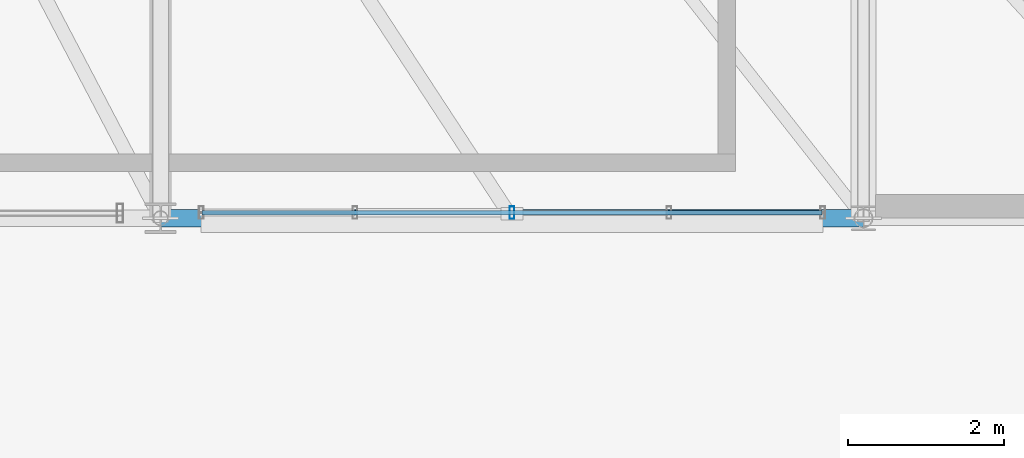
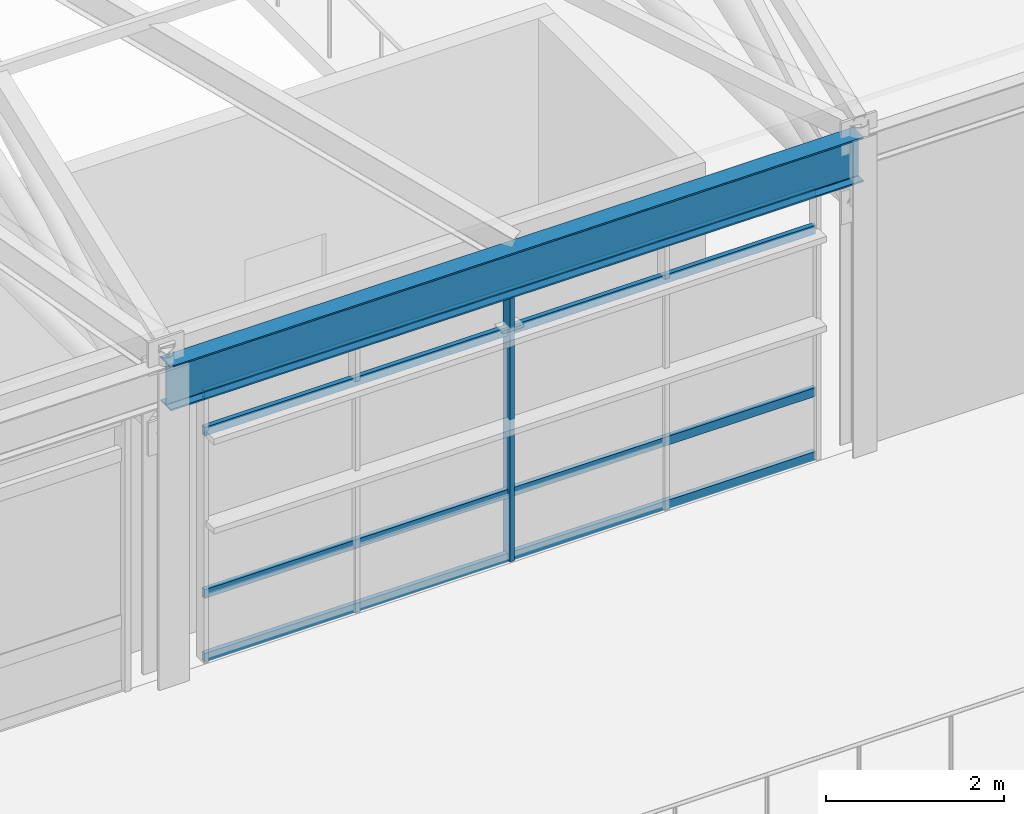
# One storey, part 34 of 168: 5 members, 1 beam, 1 element without a shape of its own.
"""IFC4 building model written with IfcOpenShell, lengths in metres."""

from ifc_helpers import new_model, si_unit, direction, frame, origin, origin_2d, place, context, subcontext, project, spatial, hollow_rectangle, i_section, extrude, material, material_profile, profile_set, type_object, element, aggregate, save


model = new_model("IFC4")

# Units and contexts
model_context = context("Model", 3, precision=1e-05, world=origin(), true_north=direction((0.0, 1.0)))
body_context = subcontext(model_context, "Body", "Model", "MODEL_VIEW")
ifc_project = project(units=[si_unit("LENGTHUNIT", "METRE"), si_unit("AREAUNIT", "SQUARE_METRE"), si_unit("VOLUMEUNIT", "CUBIC_METRE"), si_unit("PLANEANGLEUNIT", "RADIAN"), si_unit("MASSUNIT", "GRAM", prefix="KILO"), si_unit("THERMODYNAMICTEMPERATUREUNIT", "KELVIN"), si_unit("POWERUNIT", "WATT")], contexts=[model_context])

# Site, building, storey
site_placement = place(None, origin())
site = spatial("IfcSite", under=ifc_project, at=site_placement, CompositionType="ELEMENT")
building_placement = place(site_placement, origin())
building = spatial("IfcBuilding", under=site, at=building_placement, Name="Tepalcoro Natatorium and Aquatics Centre", CompositionType="ELEMENT")
storey_placement = place(building_placement, frame((0.0, 0.0, 10.199951171875)))
storey = spatial("IfcBuildingStorey", under=building, at=storey_placement, Name="L02", CompositionType="ELEMENT", Elevation=10.199951171875)

# Curtain wall, members
ifc_material_1 = material(Name="Bronze-Anodised Extruded Aluminium Alloy EN AW-6063 T6", Category="aluminium")
curtain_wall_type = type_object("IfcCurtainWallType", Name="CW_LEAN_T1_EW", PredefinedType="USERDEFINED", material=ifc_material_1)
curtain_wall_placement = place(storey_placement, origin())
curtain_wall = element("IfcCurtainWall", 1, at=curtain_wall_placement, inside=storey, type_object=curtain_wall_type, Name="V1 L02 S Unitised Curtain Wall Bay 7", ObjectType="FACETED SOLAR GLAZING", PredefinedType="USERDEFINED")
ifc_material_profile_1 = material_profile(ifc_material_1, hollow_rectangle(XDim=0.06005859375, YDim=0.159912109375, WallThickness=0.00390625, at=origin_2d()), Name="AL60X160X4")
ifc_profile_set_1 = profile_set([ifc_material_profile_1], Name="Bronze-Anodised Extruded Aluminium Alloy EN AW-6063 T6")
member_type_1 = type_object("IfcMemberType", Name="CW_MUL_60x160", PredefinedType="MULLION", material=ifc_profile_set_1)
member_1_placement = place(storey_placement, frame((111.5, 13.0712890625, 0.02001953125), z_axis=(0.0, 0.0, 1.0), x_axis=(1.0, 0.0, 0.0)))
member_1 = element("IfcMember", 2, at=member_1_placement, type_object=member_type_1, Name="CW_LEAN_T1_EW Curtain Wall Mullion", PredefinedType="MULLION", context=body_context, shape_type="SweptSolid", body=[
    extrude(hollow_rectangle(XDim=0.06005859375, YDim=0.159912109375, WallThickness=0.00390625, at=origin_2d()), origin(), (0.0, 0.0, 1.0), 3.66796875),
])
ifc_material_profile_2 = material_profile(ifc_material_1, hollow_rectangle(XDim=0.06005859375, YDim=0.1201171875, WallThickness=0.00390625, at=origin_2d()), Name="AL60X120X4")
ifc_profile_set_2 = profile_set([ifc_material_profile_2], Name="Bronze-Anodised Extruded Aluminium Alloy EN AW-6063 T6")
member_type_2 = type_object("IfcMemberType", Name="CW_TRN_60x120", PredefinedType="USERDEFINED", material=ifc_profile_set_2)
member_2_placement = place(storey_placement, frame((107.530029296875, 13.0712890625, 0.050048828125), z_axis=(1.0, 0.0, 0.0), x_axis=(0.0, 1.0, 0.0)))
member_2 = element("IfcMember", 3, at=member_2_placement, type_object=member_type_2, Name="CW_LEAN_T1_EW Curtain Wall Transom", ObjectType="TRANSOM", PredefinedType="USERDEFINED", context=body_context, shape_type="SweptSolid", body=[
    extrude(hollow_rectangle(XDim=0.06005859375, YDim=0.1201171875, WallThickness=0.00390625, at=origin_2d()), origin(), (0.0, 0.0, 1.0), 7.93994140625),
])
member_3_placement = place(storey_placement, frame((107.530029296875, 13.0712890625, 0.927001953125), z_axis=(1.0, 0.0, 0.0), x_axis=(0.0, 1.0, 0.0)))
member_3 = element("IfcMember", 4, at=member_3_placement, type_object=member_type_2, Name="CW_LEAN_T1_EW Curtain Wall Transom", ObjectType="TRANSOM", PredefinedType="USERDEFINED", context=body_context, shape_type="SweptSolid", body=[
    extrude(hollow_rectangle(XDim=0.06005859375, YDim=0.1201171875, WallThickness=0.00390625, at=origin_2d()), origin(), (0.0, 0.0, 1.0), 7.93994140625),
])
member_4_placement = place(storey_placement, frame((107.530029296875, 13.0712890625, 3.157958984375), z_axis=(1.0, 0.0, 0.0), x_axis=(0.0, 1.0, 0.0)))
member_4 = element("IfcMember", 5, at=member_4_placement, type_object=member_type_2, Name="CW_LEAN_T1_EW Curtain Wall Transom", ObjectType="TRANSOM", PredefinedType="USERDEFINED", context=body_context, shape_type="SweptSolid", body=[
    extrude(hollow_rectangle(XDim=0.06005859375, YDim=0.1201171875, WallThickness=0.00390625, at=origin_2d()), origin(), (0.0, 0.0, 1.0), 7.93994140625),
])
member_5_placement = place(storey_placement, frame((107.530029296875, 13.0712890625, 3.657958984375), z_axis=(1.0, 0.0, 0.0), x_axis=(0.0, 1.0, 0.0)))
member_5 = element("IfcMember", 6, at=member_5_placement, type_object=member_type_2, Name="CW_LEAN_T1_EW Curtain Wall Transom", ObjectType="TRANSOM", PredefinedType="USERDEFINED", context=body_context, shape_type="SweptSolid", body=[
    extrude(hollow_rectangle(XDim=0.06005859375, YDim=0.1201171875, WallThickness=0.00390625, at=origin_2d()), origin(), (0.0, 0.0, 1.0), 7.93994140625),
])
aggregate(curtain_wall, [member_1, member_2, member_3, member_4, member_5])

# Beam
ifc_material_2 = material(Name="Steel ASTM A992 Grade 50 (Fy 345 MPa)", Category="steel")
ifc_material_profile_3 = material_profile(ifc_material_2, i_section(OverallWidth=0.22900390625, OverallDepth=0.612060546875, WebThickness=0.011962890625, FlangeThickness=0.02001953125, FilletRadius=0.013916015625, at=origin_2d()), Name="W24X84")
ifc_profile_set_3 = profile_set([ifc_material_profile_3], Name="Steel ASTM A992 Grade 50 (Fy 345 MPa)")
beam_type = type_object("IfcBeamType", Name="SP_W24x84", PredefinedType="SPANDREL", material=ifc_profile_set_3)
beam_placement = place(storey_placement, frame((107.0, 13.0, 4.029052734375), z_axis=(1.0, 0.0, 0.0), x_axis=(0.0, 1.0, 0.0)))
element("IfcBeam", 7, at=beam_placement, inside=storey, type_object=beam_type, Name="V1 L02 Grid Girder X", PredefinedType="SPANDREL", context=body_context, shape_type="SweptSolid", body=[
    extrude(i_section(OverallWidth=0.22900390625, OverallDepth=0.612060546875, WebThickness=0.011962890625, FlangeThickness=0.02001953125, FilletRadius=0.013916015625, at=origin_2d()), origin(), (0.0, 0.0, 1.0), 9.0),
])

save(model, "model.ifc")
